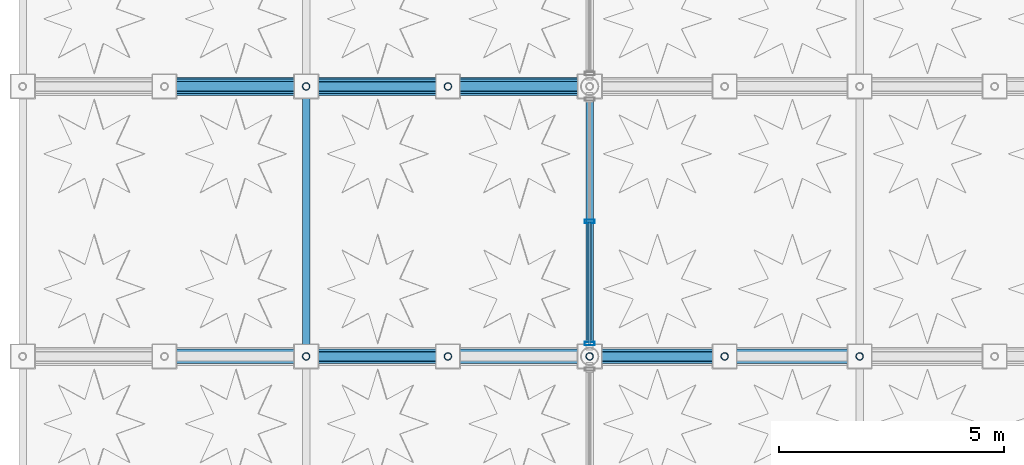
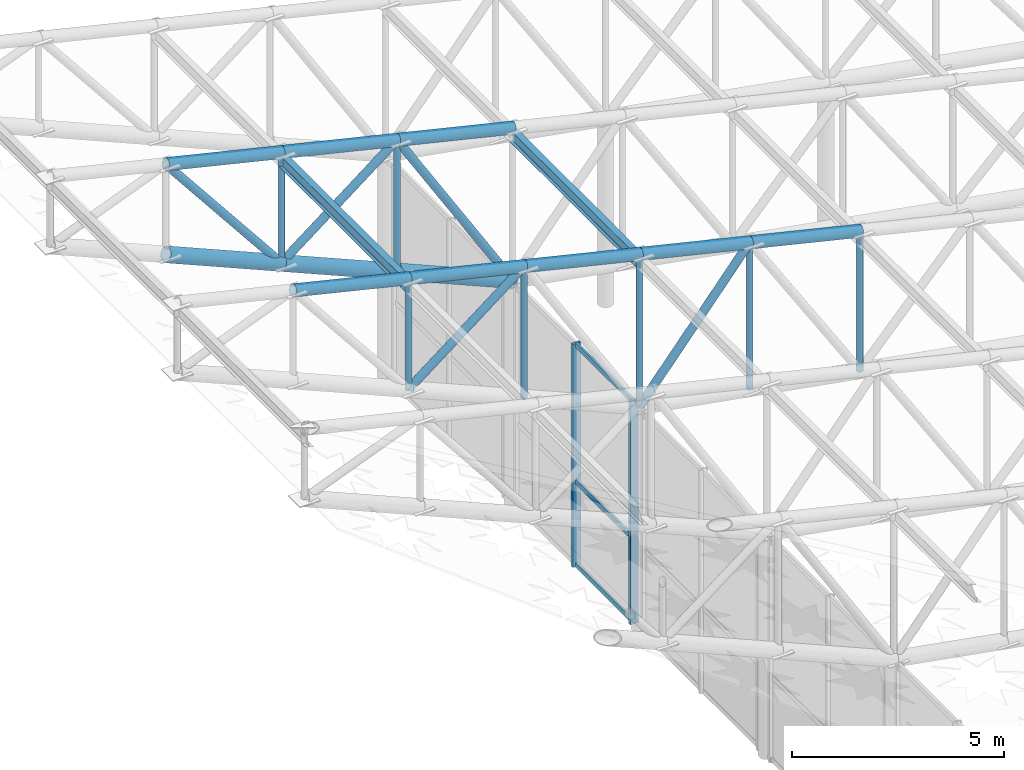
# One storey, part 41 of 112: 28 members, 2 beams, 1 element without a shape of its own.
"""IFC4 building model written with IfcOpenShell, lengths in metres."""

import ifcopenshell
import ifcopenshell.guid

model = None  # the IFC model being written
_history = None  # IfcOwnerHistory: only IFC2X3 demands one
_inside = {}  # id of a spatial element -> (the spatial element, [elements in it])
_under = {}  # id of a project, library or spatial element -> (it, [spatial elements below it])
_declared = {}  # id of a project -> (the project, [libraries it declares])
_typed = {}  # id of a type object -> (the type object, [elements of that type])
_made_of = {}  # id of a material, layer set ... -> (it, [elements and type objects made of it])


def new_model(schema):
    """Start an empty IFC model of exactly this schema.

    Asked for "IFC4X3", IfcOpenShell would pick the latest addendum, in which some entities
    have other attributes; the version numbers below select the first issue.
    IFC2X3 requires an IfcOwnerHistory on every rooted entity: one is made here for all.
    """
    global model, _history
    if schema == "IFC4X3":
        model = ifcopenshell.file(schema_version=(4, 3, 0, 0))
    else:
        model = ifcopenshell.file(schema=schema)
    _inside.clear()
    _under.clear()
    _declared.clear()
    _typed.clear()
    _made_of.clear()
    _history = None
    if model.schema == "IFC2X3":
        org = make("IfcOrganization", Name="unknown")
        user = make(
            "IfcPersonAndOrganization",
            ThePerson=make("IfcPerson", FamilyName="unknown"),
            TheOrganization=org,
        )
        app = make(
            "IfcApplication",
            ApplicationDeveloper=org,
            Version="unknown",
            ApplicationFullName="unknown",
            ApplicationIdentifier="unknown",
        )
        _history = make(
            "IfcOwnerHistory",
            OwningUser=user,
            OwningApplication=app,
            ChangeAction="ADDED",
            CreationDate=0,
        )
    return model


def make(cls, **values):
    """One entity of the class cls with the attributes given. An attribute that is None is left unset."""
    return model.create_entity(
        cls, **{name: value for name, value in values.items() if value is not None}
    )


def rooted(cls, **values):
    """An entity with a GlobalId (a new one), such as an element, a storey or a relation."""
    return make(cls, GlobalId=ifcopenshell.guid.new(), OwnerHistory=_history, **values)


def si_unit(unit_type, name, prefix=None):
    """IfcSIUnit, for example si_unit("LENGTHUNIT", "METRE", prefix="MILLI")."""
    return make("IfcSIUnit", UnitType=unit_type, Prefix=prefix, Name=name)


def assignment(units):
    """IfcUnitAssignment: the units of a project."""
    return None if units is None else make("IfcUnitAssignment", Units=units)


def point(xyz):
    """IfcCartesianPoint."""
    return None if xyz is None else make("IfcCartesianPoint", Coordinates=xyz)


def direction(xyz):
    """IfcDirection."""
    return None if xyz is None else make("IfcDirection", DirectionRatios=xyz)


def frame(location, z_axis=None, x_axis=None):
    """IfcAxis2Placement3D, a coordinate frame: its origin and axes. An axis left out is left unset."""
    return make(
        "IfcAxis2Placement3D",
        Location=point(location),
        Axis=direction(z_axis),
        RefDirection=direction(x_axis),
    )


def frame_2d(location, x_axis=None):
    """IfcAxis2Placement2D, a coordinate frame in the plane: its origin and x axis."""
    return make(
        "IfcAxis2Placement2D", Location=point(location), RefDirection=direction(x_axis)
    )


def origin():
    """The frame at (0, 0, 0) with its axes left unset."""
    return frame((0.0, 0.0, 0.0))


def origin_2d():
    """The frame at (0, 0) in the plane with its x axis left unset."""
    return frame_2d((0.0, 0.0))


def place(relative_to, where):
    """IfcLocalPlacement: puts the frame where relative to a parent placement (None: the world)."""
    return make(
        "IfcLocalPlacement", PlacementRelTo=relative_to, RelativePlacement=where
    )


def context(
    kind, dimensions, precision=None, world=None, true_north=None, identifier=None
):
    """IfcGeometricRepresentationContext, for example the 3D "Model" context."""
    return make(
        "IfcGeometricRepresentationContext",
        ContextIdentifier=identifier,
        ContextType=kind,
        CoordinateSpaceDimension=dimensions,
        Precision=precision,
        WorldCoordinateSystem=world,
        TrueNorth=true_north,
    )


def subcontext(parent, identifier, kind, view, scale=None):
    """IfcGeometricRepresentationSubContext, for example "Body" below "Model"."""
    return make(
        "IfcGeometricRepresentationSubContext",
        ContextIdentifier=identifier,
        ContextType=kind,
        ParentContext=parent,
        TargetScale=scale,
        TargetView=view,
    )


def project(units=None, contexts=None):
    """IfcProject with its units and contexts."""
    return rooted(
        "IfcProject",
        Name="project",
        RepresentationContexts=contexts,
        UnitsInContext=assignment(units),
    )


def spatial(cls, under=None, at=None, **own):
    """A site, building, storey or space (cls), placed at a placement, below another one or the project."""
    s = rooted(cls, ObjectPlacement=at, **own)
    if under is not None:
        _under.setdefault(under.id(), (under, []))[1].append(s)
    return s


def profile(cls, at=None, kind="AREA", **sizes):
    """A parametric profile (cls). Its sizes go by their IFC names, for example OverallWidth=200.0."""
    return make(cls, ProfileType=kind, Position=at, **sizes)


def hollow_rectangle(**sizes):
    """IfcRectangleHollowProfileDef."""
    return profile("IfcRectangleHollowProfileDef", **sizes)


def hollow_circle(**sizes):
    """IfcCircleHollowProfileDef."""
    return profile("IfcCircleHollowProfileDef", **sizes)


def i_section(**sizes):
    """IfcIShapeProfileDef."""
    return profile("IfcIShapeProfileDef", **sizes)


def extrude(swept, where, along, depth):
    """IfcExtrudedAreaSolid: the profile swept, set in the frame where, extruded along a direction by depth."""
    return make(
        "IfcExtrudedAreaSolid",
        SweptArea=swept,
        Position=where,
        ExtrudedDirection=direction(along),
        Depth=depth,
    )


def shape(context_of_items, identifier, shape_type, items):
    """IfcShapeRepresentation: the items that make up one representation, for example the "Body"."""
    return make(
        "IfcShapeRepresentation",
        ContextOfItems=context_of_items,
        RepresentationIdentifier=identifier,
        RepresentationType=shape_type,
        Items=items,
    )


def material(Name=None, Category=None):
    """IfcMaterial."""
    return make("IfcMaterial", Name=Name, Category=Category)


def material_profile(
    of_material, cross_section, Name=None, Category=None, Priority=None
):
    """IfcMaterialProfile: a cross section and its material."""
    return make(
        "IfcMaterialProfile",
        Name=Name,
        Material=of_material,
        Profile=cross_section,
        Priority=Priority,
        Category=Category,
    )


def profile_set(profiles, Name=None, composite=None):
    """IfcMaterialProfileSet."""
    return make(
        "IfcMaterialProfileSet",
        Name=Name,
        MaterialProfiles=profiles,
        CompositeProfile=composite,
    )


def made_of(thing, what):
    """Note that an element or type object is made of a material, layer set ...; save() writes the relation."""
    if what is not None:
        _made_of.setdefault(what.id(), (what, []))[1].append(thing)
    return thing


def type_object(cls, material=None, **own):
    """A type object (cls), such as IfcWallType, which elements share."""
    return made_of(rooted(cls, **own), material)


def element(
    cls,
    number,
    at=None,
    inside=None,
    cuts=None,
    type_object=None,
    material=None,
    context=None,
    identifier="Body",
    shape_type=None,
    held_by="IfcProductDefinitionShape",
    body=None,
    shapes=None,
    **own,
):
    """One element of the class cls, such as IfcWall. Its Tag is "e" and its number.

    at: its placement. inside: the storey or other place that contains it. cuts: it is an
    opening in that element (IfcRelVoidsElement). A single representation is given by context,
    identifier, shape_type and body (its items); several are given by shapes. held_by: the class
    of the entity that holds the representations. save() writes the other relations.
    """
    e = rooted(cls, Tag="e%d" % number, ObjectPlacement=at, **own)
    if body is not None:
        shapes = [shape(context, identifier, shape_type, body)]
    if shapes is not None:
        e.Representation = make(held_by, Representations=shapes)
    if inside is not None:
        _inside.setdefault(inside.id(), (inside, []))[1].append(e)
    if cuts is not None:
        rooted(
            "IfcRelVoidsElement", RelatingBuildingElement=cuts, RelatedOpeningElement=e
        )
    if type_object is not None:
        _typed.setdefault(type_object.id(), (type_object, []))[1].append(e)
    return made_of(e, material)


def aggregate(whole, parts):
    """IfcRelAggregates: a whole, such as a stair, and the parts it consists of."""
    return rooted("IfcRelAggregates", RelatingObject=whole, RelatedObjects=parts)


def save(model, path):
    """Write the relations noted so far, then the file.

    IfcRelAggregates (storeys below a building ...), IfcRelContainedInSpatialStructure (elements
    in a storey), IfcRelDefinesByType, IfcRelAssociatesMaterial and IfcRelDeclares: one each for
    every whole, place, type object, material and project.
    """
    for whole, parts in _under.values():
        aggregate(whole, parts)
    for where, things in _inside.values():
        rooted(
            "IfcRelContainedInSpatialStructure",
            RelatedElements=things,
            RelatingStructure=where,
        )
    for kind, things in _typed.values():
        rooted("IfcRelDefinesByType", RelatedObjects=things, RelatingType=kind)
    for what, things in _made_of.values():
        rooted("IfcRelAssociatesMaterial", RelatedObjects=things, RelatingMaterial=what)
    for by, libraries in _declared.values():
        rooted("IfcRelDeclares", RelatingContext=by, RelatedDefinitions=libraries)
    model.write(path)


model = new_model("IFC4")

# Units and contexts
model_context = context("Model", 3, precision=1e-05, world=origin(), true_north=direction((0.0, 1.0)))
body_context = subcontext(model_context, "Body", "Model", "MODEL_VIEW")
ifc_project = project(units=[si_unit("LENGTHUNIT", "METRE"), si_unit("AREAUNIT", "SQUARE_METRE"), si_unit("VOLUMEUNIT", "CUBIC_METRE"), si_unit("PLANEANGLEUNIT", "RADIAN"), si_unit("MASSUNIT", "GRAM", prefix="KILO"), si_unit("THERMODYNAMICTEMPERATUREUNIT", "KELVIN"), si_unit("POWERUNIT", "WATT")], contexts=[model_context])

# Site, building, storey
site_placement = place(None, origin())
site = spatial("IfcSite", under=ifc_project, at=site_placement, CompositionType="ELEMENT")
building_placement = place(site_placement, origin())
building = spatial("IfcBuilding", under=site, at=building_placement, Name="Phaisarnlok Congress Hotel", CompositionType="ELEMENT")
storey_placement = place(building_placement, frame((0.0, 0.0, 19.800048828125)))
storey = spatial("IfcBuildingStorey", under=building, at=storey_placement, Name="L04", CompositionType="ELEMENT", Elevation=19.800048828125)

# Curtain wall, members
ifc_material_1 = material(Name="Thermally Broken Unitised Aluminium & Low-E Glazing", Category="aluminium")
curtain_wall_type = type_object("IfcCurtainWallType", Name="CW-UNIT-45", PredefinedType="NOTDEFINED", material=ifc_material_1)
curtain_wall_placement = place(storey_placement, origin())
curtain_wall = element("IfcCurtainWall", 1, at=curtain_wall_placement, inside=storey, type_object=curtain_wall_type, Name="Unitised curtain wall CW-45 (L04)", PredefinedType="NOTDEFINED")
ifc_material_2 = material(Name="Anodised Aluminium Alloy 6063-T6", Category="aluminium")
ifc_material_profile_1 = material_profile(ifc_material_2, hollow_rectangle(XDim=0.074951171875, YDim=0.219970703125, WallThickness=0.0048828125, at=origin_2d()), Name="ALU-M 75x220x5")
ifc_profile_set_1 = profile_set([ifc_material_profile_1], Name="Anodised Aluminium Alloy 6063-T6")
member_type_1 = type_object("IfcMemberType", Name="CWM-220", PredefinedType="MULLION", material=ifc_profile_set_1)
member_1_placement = place(storey_placement, frame((120.0, 75.0, -0.010009765625), z_axis=(0.0, 0.0, 1.0), x_axis=(0.0, -1.0, 0.0)))
member_1 = element("IfcMember", 2, at=member_1_placement, type_object=member_type_1, Name="Curtain wall mullion CWM-02", PredefinedType="MULLION", context=body_context, shape_type="SweptSolid", body=[
    extrude(hollow_rectangle(XDim=0.074951171875, YDim=0.219970703125, WallThickness=0.0048828125, at=origin_2d()), origin(), (0.0, 0.0, 1.0), 6.429931640625),
])
member_2_placement = place(storey_placement, frame((120.0, 72.284912109375, -0.010009765625), z_axis=(0.0, 0.0, 1.0), x_axis=(0.0, -1.0, 0.0)))
member_2 = element("IfcMember", 3, at=member_2_placement, type_object=member_type_1, Name="Curtain wall mullion CWM-02", PredefinedType="MULLION", context=body_context, shape_type="SweptSolid", body=[
    extrude(hollow_rectangle(XDim=0.074951171875, YDim=0.219970703125, WallThickness=0.0048828125, at=origin_2d()), origin(), (0.0, 0.0, 1.0), 6.429931640625),
])
ifc_material_profile_2 = material_profile(ifc_material_2, hollow_rectangle(XDim=0.06494140625, YDim=0.139892578125, WallThickness=0.00390625, at=origin_2d()), Name="ALU-T 65x140x4")
ifc_profile_set_2 = profile_set([ifc_material_profile_2], Name="Anodised Aluminium Alloy 6063-T6")
member_type_2 = type_object("IfcMemberType", Name="CWT-150", PredefinedType="USERDEFINED", material=ifc_profile_set_2)
member_3_placement = place(storey_placement, frame((120.0, 74.985107421875, 0.0400390625), z_axis=(0.0, -1.0, 0.0), x_axis=(1.0, 0.0, 0.0)))
member_3 = element("IfcMember", 4, at=member_3_placement, type_object=member_type_2, Name="Curtain wall transom CWT-01", ObjectType="TRANSOM", PredefinedType="USERDEFINED", context=body_context, shape_type="SweptSolid", body=[
    extrude(hollow_rectangle(XDim=0.06494140625, YDim=0.139892578125, WallThickness=0.00390625, at=origin_2d()), origin(), (0.0, 0.0, 1.0), 2.72509765625),
])
member_4_placement = place(storey_placement, frame((120.0, 74.985107421875, 2.433349609375), z_axis=(0.0, -1.0, 0.0), x_axis=(1.0, 0.0, 0.0)))
member_4 = element("IfcMember", 5, at=member_4_placement, type_object=member_type_2, Name="Curtain wall transom CWT-01", ObjectType="TRANSOM", PredefinedType="USERDEFINED", context=body_context, shape_type="SweptSolid", body=[
    extrude(hollow_rectangle(XDim=0.06494140625, YDim=0.139892578125, WallThickness=0.00390625, at=origin_2d()), origin(), (0.0, 0.0, 1.0), 2.72509765625),
])
member_5_placement = place(storey_placement, frame((120.0, 74.985107421875, 6.369873046875), z_axis=(0.0, -1.0, 0.0), x_axis=(1.0, 0.0, 0.0)))
member_5 = element("IfcMember", 6, at=member_5_placement, type_object=member_type_2, Name="Curtain wall transom CWT-01", ObjectType="TRANSOM", PredefinedType="USERDEFINED", context=body_context, shape_type="SweptSolid", body=[
    extrude(hollow_rectangle(XDim=0.06494140625, YDim=0.139892578125, WallThickness=0.00390625, at=origin_2d()), origin(), (0.0, 0.0, 1.0), 2.72509765625),
])
aggregate(curtain_wall, [member_1, member_2, member_3, member_4, member_5])

# Beams
ifc_material_3 = material(Name="Steel S355", Category="steel")
ifc_material_profile_3 = material_profile(ifc_material_3, i_section(OverallWidth=0.169921875, OverallDepth=0.360107421875, WebThickness=0.008056640625, FlangeThickness=0.0126953125, FilletRadius=0.01806640625, at=origin_2d()), Name="IPE 360")
ifc_profile_set_3 = profile_set([ifc_material_profile_3], Name="Steel S355")
beam_type_1 = type_object("IfcBeamType", Name="JS-STL-IPE360", PredefinedType="JOIST", material=ifc_profile_set_3)
beam_1_placement = place(storey_placement, frame((120.0, 72.0, 10.6005859375), z_axis=(0.0, 1.0, 0.0), x_axis=(-1.0, 0.0, 0.0)))
element("IfcBeam", 7, at=beam_1_placement, inside=storey, type_object=beam_type_1, Name="Cloister wing roof purlin", PredefinedType="JOIST", context=body_context, shape_type="SweptSolid", body=[
    extrude(i_section(OverallWidth=0.169921875, OverallDepth=0.360107421875, WebThickness=0.008056640625, FlangeThickness=0.0126953125, FilletRadius=0.01806640625, at=origin_2d()), origin(), (0.0, 0.0, 1.0), 6.0),
])
ifc_material_profile_4 = material_profile(ifc_material_3, i_section(OverallWidth=0.169921875, OverallDepth=0.360107421875, WebThickness=0.008056640625, FlangeThickness=0.0126953125, FilletRadius=0.01806640625, at=origin_2d()), Name="IPE 360")
ifc_profile_set_4 = profile_set([ifc_material_profile_4], Name="Steel S355")
beam_type_2 = type_object("IfcBeamType", Name="JS-STL-IPE360-EXT", PredefinedType="JOIST", material=ifc_profile_set_4)
beam_2_placement = place(storey_placement, frame((113.699951171875, 72.0, 12.104248046875), z_axis=(0.0, 1.0, 0.0), x_axis=(-1.0, 0.0, 0.0)))
element("IfcBeam", 8, at=beam_2_placement, inside=storey, type_object=beam_type_2, Name="Cloister wing roof purlin", PredefinedType="JOIST", context=body_context, shape_type="SweptSolid", body=[
    extrude(i_section(OverallWidth=0.169921875, OverallDepth=0.360107421875, WebThickness=0.008056640625, FlangeThickness=0.0126953125, FilletRadius=0.01806640625, at=origin_2d()), origin(), (0.0, 0.0, 1.0), 6.0),
])

# Members
ifc_material_profile_5 = material_profile(ifc_material_3, hollow_circle(Radius=0.084228515625, WallThickness=0.010009765625, at=origin_2d()), Name="CHS 168.3x10")
ifc_profile_set_5 = profile_set([ifc_material_profile_5], Name="Steel S355")
member_type_3 = type_object("IfcMemberType", Name="MEM-BRC-CHS168", PredefinedType="BRACE", material=ifc_profile_set_5)
member_6_placement = place(storey_placement, frame((126.0, 72.0, 5.333251953125), z_axis=(0.0, 0.0, 1.0), x_axis=(1.0, 0.0, 0.0)))
element("IfcMember", 9, at=member_6_placement, inside=storey, type_object=member_type_3, Name="Cloister wing roof truss vertical web", PredefinedType="BRACE", context=body_context, shape_type="SweptSolid", body=[
    extrude(hollow_circle(Radius=0.084228515625, WallThickness=0.010009765625, at=origin_2d()), origin(), (0.0, 0.0, 1.0), 4.027099609375),
])
member_7_placement = place(storey_placement, frame((123.0, 72.0, 5.86669921875), z_axis=(0.0, 0.0, 1.0), x_axis=(1.0, 0.0, 0.0)))
element("IfcMember", 10, at=member_7_placement, inside=storey, type_object=member_type_3, Name="Cloister wing roof truss vertical web", PredefinedType="BRACE", context=body_context, shape_type="SweptSolid", body=[
    extrude(hollow_circle(Radius=0.084228515625, WallThickness=0.010009765625, at=origin_2d()), origin(), (0.0, 0.0, 1.0), 4.209716796875),
])
member_8_placement = place(storey_placement, frame((120.0, 72.0, 6.39990234375), z_axis=(0.0, 0.0, 1.0), x_axis=(1.0, 0.0, 0.0)))
element("IfcMember", 11, at=member_8_placement, inside=storey, type_object=member_type_3, Name="Cloister wing roof truss vertical web", PredefinedType="BRACE", context=body_context, shape_type="SweptSolid", body=[
    extrude(hollow_circle(Radius=0.084228515625, WallThickness=0.010009765625, at=origin_2d()), origin(), (0.0, 0.0, 1.0), 4.392578125),
])
ifc_material_profile_6 = material_profile(ifc_material_3, hollow_circle(Radius=0.084228515625, WallThickness=0.010009765625, at=origin_2d()), Name="CHS 168.3x10")
ifc_profile_set_6 = profile_set([ifc_material_profile_6], Name="Steel S355")
member_type_4 = type_object("IfcMemberType", Name="MEM-BRC-CHS168-EXT", PredefinedType="BRACE", material=ifc_profile_set_6)
member_9_placement = place(storey_placement, frame((116.85009765625, 72.0, 7.75), z_axis=(0.0, 0.0, 1.0), x_axis=(1.0, 0.0, 0.0)))
element("IfcMember", 12, at=member_9_placement, inside=storey, type_object=member_type_4, Name="Cloister wing roof truss vertical web", PredefinedType="BRACE", context=body_context, shape_type="SweptSolid", body=[
    extrude(hollow_circle(Radius=0.084228515625, WallThickness=0.010009765625, at=origin_2d()), origin(), (0.0, 0.0, 1.0), 3.79443359375),
])
member_10_placement = place(storey_placement, frame((113.699951171875, 72.0, 9.099853515625), z_axis=(0.0, 0.0, 1.0), x_axis=(1.0, 0.0, 0.0)))
element("IfcMember", 13, at=member_10_placement, inside=storey, type_object=member_type_4, Name="Cloister wing roof truss vertical web", PredefinedType="BRACE", context=body_context, shape_type="SweptSolid", body=[
    extrude(hollow_circle(Radius=0.084228515625, WallThickness=0.010009765625, at=origin_2d()), origin(), (0.0, 0.0, 1.0), 3.1962890625),
])
member_11_placement = place(storey_placement, frame((116.85009765625, 78.0, 7.75), z_axis=(0.0, 0.0, 1.0), x_axis=(1.0, 0.0, 0.0)))
element("IfcMember", 14, at=member_11_placement, inside=storey, type_object=member_type_4, Name="Cloister wing roof truss vertical web", PredefinedType="BRACE", context=body_context, shape_type="SweptSolid", body=[
    extrude(hollow_circle(Radius=0.084228515625, WallThickness=0.010009765625, at=origin_2d()), origin(), (0.0, 0.0, 1.0), 3.79443359375),
])
member_12_placement = place(storey_placement, frame((113.699951171875, 78.0, 9.099853515625), z_axis=(0.0, 0.0, 1.0), x_axis=(1.0, 0.0, 0.0)))
element("IfcMember", 15, at=member_12_placement, inside=storey, type_object=member_type_4, Name="Cloister wing roof truss vertical web", PredefinedType="BRACE", context=body_context, shape_type="SweptSolid", body=[
    extrude(hollow_circle(Radius=0.084228515625, WallThickness=0.010009765625, at=origin_2d()), origin(), (0.0, 0.0, 1.0), 3.1962890625),
])
ifc_material_profile_7 = material_profile(ifc_material_3, hollow_circle(Radius=0.109619140625, WallThickness=0.012451171875, at=origin_2d()), Name="CHS 219.1x12.5")
ifc_profile_set_7 = profile_set([ifc_material_profile_7], Name="Steel S355")
member_type_5 = type_object("IfcMemberType", Name="MEM-BRC-CHS219", PredefinedType="BRACE", material=ifc_profile_set_7)
member_13_placement = place(storey_placement, frame((120.0, 72.0, 6.39990234375), z_axis=(0.632220210367, 0.0, 0.774788749017), x_axis=(0.0, 1.0, 0.0)))
element("IfcMember", 16, at=member_13_placement, inside=storey, type_object=member_type_5, Name="Cloister wing roof truss diagonal brace", PredefinedType="BRACE", context=body_context, shape_type="SweptSolid", body=[
    extrude(hollow_circle(Radius=0.109619140625, WallThickness=0.012451171875, at=origin_2d()), origin(), (0.0, 0.0, 1.0), 4.7451171875),
])
ifc_material_profile_8 = material_profile(ifc_material_3, hollow_circle(Radius=0.109619140625, WallThickness=0.012451171875, at=origin_2d()), Name="CHS 219.1x12.5")
ifc_profile_set_8 = profile_set([ifc_material_profile_8], Name="Steel S355")
member_type_6 = type_object("IfcMemberType", Name="MEM-BRC-CHS219-EXT", PredefinedType="BRACE", material=ifc_profile_set_8)
member_14_placement = place(storey_placement, frame((113.699951171875, 72.0, 9.099853515625), z_axis=(0.790024309268, 0.0, 0.613075517996), x_axis=(0.0, 1.0, 0.0)))
element("IfcMember", 17, at=member_14_placement, inside=storey, type_object=member_type_6, Name="Cloister wing roof truss diagonal brace", PredefinedType="BRACE", context=body_context, shape_type="SweptSolid", body=[
    extrude(hollow_circle(Radius=0.109619140625, WallThickness=0.012451171875, at=origin_2d()), origin(), (0.0, 0.0, 1.0), 3.9873046875),
])
member_15_placement = place(storey_placement, frame((120.0, 78.0, 6.39990234375), z_axis=(-0.522176688857, 0.0, 0.852837326584), x_axis=(0.0, -1.0, 0.0)))
element("IfcMember", 18, at=member_15_placement, inside=storey, type_object=member_type_6, Name="Cloister wing roof truss diagonal brace", PredefinedType="BRACE", context=body_context, shape_type="SweptSolid", body=[
    extrude(hollow_circle(Radius=0.109619140625, WallThickness=0.012451171875, at=origin_2d()), origin(), (0.0, 0.0, 1.0), 6.0322265625),
])
member_16_placement = place(storey_placement, frame((113.699951171875, 78.0, 9.099853515625), z_axis=(0.790024309268, 0.0, 0.613075517996), x_axis=(0.0, 1.0, 0.0)))
element("IfcMember", 19, at=member_16_placement, inside=storey, type_object=member_type_6, Name="Cloister wing roof truss diagonal brace", PredefinedType="BRACE", context=body_context, shape_type="SweptSolid", body=[
    extrude(hollow_circle(Radius=0.109619140625, WallThickness=0.012451171875, at=origin_2d()), origin(), (0.0, 0.0, 1.0), 3.9873046875),
])
member_17_placement = place(storey_placement, frame((113.699951171875, 78.0, 9.099853515625), z_axis=(-0.623645214912, 0.0, 0.78170751942), x_axis=(0.0, -1.0, 0.0)))
element("IfcMember", 20, at=member_17_placement, inside=storey, type_object=member_type_6, Name="Cloister wing roof truss diagonal brace", PredefinedType="BRACE", context=body_context, shape_type="SweptSolid", body=[
    extrude(hollow_circle(Radius=0.109619140625, WallThickness=0.012451171875, at=origin_2d()), origin(), (0.0, 0.0, 1.0), 5.05078125),
])
ifc_material_profile_9 = material_profile(ifc_material_3, hollow_circle(Radius=0.161865234375, WallThickness=0.01611328125, at=origin_2d()), Name="CHS 323.9x16")
ifc_profile_set_9 = profile_set([ifc_material_profile_9], Name="Steel S355")
member_type_7 = type_object("IfcMemberType", Name="MEM-CHD-CHS324", PredefinedType="CHORD", material=ifc_profile_set_9)
for number, where, z_axis, x_axis, name in (
    (21, (126.0, 72.0, 9.3603515625), (-0.972676115692, 0.0, 0.232166263617), (0.0, -1.0, 0.0), "Cloister wing roof truss top chord"),
    (22, (123.0, 72.0, 10.076416015625), (-0.972676115692, 0.0, 0.232166263617), (0.0, -1.0, 0.0), "Cloister wing roof truss top chord"),
):
    element("IfcMember", number, at=place(storey_placement, frame(where, z_axis=z_axis, x_axis=x_axis)), inside=storey, type_object=member_type_7, Name=name, PredefinedType="CHORD", context=body_context, shape_type="SweptSolid", body=[
        extrude(hollow_circle(Radius=0.161865234375, WallThickness=0.01611328125, at=origin_2d()), origin(), (0.0, 0.0, 1.0), 3.084228515625),
    ])
ifc_material_profile_10 = material_profile(ifc_material_3, hollow_circle(Radius=0.161865234375, WallThickness=0.01611328125, at=origin_2d()), Name="CHS 323.9x16")
ifc_profile_set_10 = profile_set([ifc_material_profile_10], Name="Steel S355")
member_type_8 = type_object("IfcMemberType", Name="MEM-CHD-CHS324-EXT", PredefinedType="CHORD", material=ifc_profile_set_10)
for number, where, z_axis, x_axis, name in (
    (23, (120.0, 72.0, 10.79248046875), (-0.972668531165, 0.0, 0.232198037203), (0.0, -1.0, 0.0), "Cloister wing roof truss top chord"),
    (24, (116.85009765625, 72.0, 11.54443359375), (-0.972689617372, 0.0, 0.232109690141), (0.0, -1.0, 0.0), "Cloister wing roof truss top chord"),
    (25, (113.699951171875, 72.0, 12.296142578125), (-0.972668531165, 0.0, 0.232198037203), (0.0, -1.0, 0.0), "Cloister wing roof truss top chord"),
    (26, (120.0, 78.0, 10.79248046875), (-0.972668531165, 0.0, 0.232198037203), (0.0, -1.0, 0.0), "Cloister wing roof truss top chord"),
    (27, (116.85009765625, 78.0, 11.54443359375), (-0.972689617372, 0.0, 0.232109690141), (0.0, -1.0, 0.0), "Cloister wing roof truss top chord"),
    (28, (113.699951171875, 78.0, 12.296142578125), (-0.972668531165, 0.0, 0.232198037203), (0.0, -1.0, 0.0), "Cloister wing roof truss top chord"),
):
    element("IfcMember", number, at=place(storey_placement, frame(where, z_axis=z_axis, x_axis=x_axis)), inside=storey, type_object=member_type_8, Name=name, PredefinedType="CHORD", context=body_context, shape_type="SweptSolid", body=[
        extrude(hollow_circle(Radius=0.161865234375, WallThickness=0.01611328125, at=origin_2d()), origin(), (0.0, 0.0, 1.0), 3.238525390625),
    ])
ifc_material_profile_11 = material_profile(ifc_material_3, hollow_circle(Radius=0.203125, WallThickness=0.02001953125, at=origin_2d()), Name="CHS 406.4x20")
ifc_profile_set_11 = profile_set([ifc_material_profile_11], Name="Steel S355")
member_type_9 = type_object("IfcMemberType", Name="MEM-CHD-CHS406-EXT", PredefinedType="CHORD", material=ifc_profile_set_11)
member_18_placement = place(storey_placement, frame((120.0, 78.0, 6.39990234375), z_axis=(-0.919130290196, 0.0, 0.393953689721), x_axis=(0.0, -1.0, 0.0)))
element("IfcMember", 29, at=member_18_placement, inside=storey, type_object=member_type_9, Name="Cloister wing roof truss bottom chord", PredefinedType="CHORD", context=body_context, shape_type="SweptSolid", body=[
    extrude(hollow_circle(Radius=0.203125, WallThickness=0.02001953125, at=origin_2d()), origin(), (0.0, 0.0, 1.0), 3.427001953125),
])
member_19_placement = place(storey_placement, frame((116.85009765625, 78.0, 7.75), z_axis=(-0.919167136512, 0.0, 0.393867712762), x_axis=(0.0, -1.0, 0.0)))
element("IfcMember", 30, at=member_19_placement, inside=storey, type_object=member_type_9, Name="Cloister wing roof truss bottom chord", PredefinedType="CHORD", context=body_context, shape_type="SweptSolid", body=[
    extrude(hollow_circle(Radius=0.203125, WallThickness=0.02001953125, at=origin_2d()), origin(), (0.0, 0.0, 1.0), 3.42724609375),
])
member_20_placement = place(storey_placement, frame((113.699951171875, 78.0, 9.099853515625), z_axis=(-0.919130290196, 0.0, 0.393953689721), x_axis=(0.0, -1.0, 0.0)))
element("IfcMember", 31, at=member_20_placement, inside=storey, type_object=member_type_9, Name="Cloister wing roof truss bottom chord", PredefinedType="CHORD", context=body_context, shape_type="SweptSolid", body=[
    extrude(hollow_circle(Radius=0.203125, WallThickness=0.02001953125, at=origin_2d()), origin(), (0.0, 0.0, 1.0), 3.427001953125),
])

save(model, "model.ifc")
